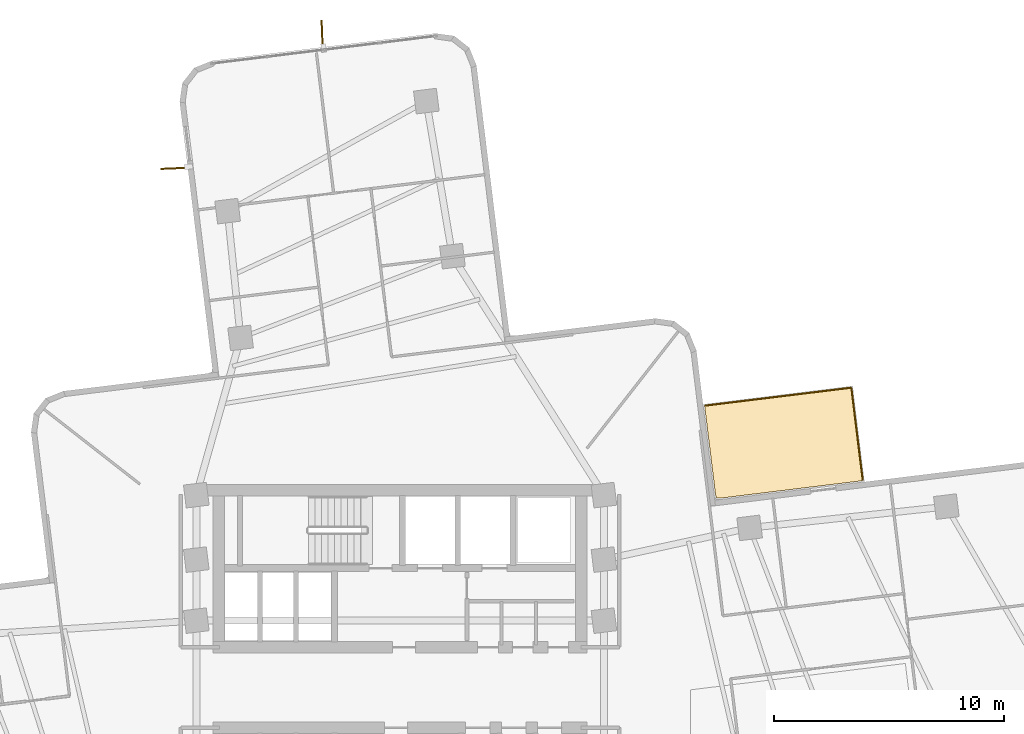
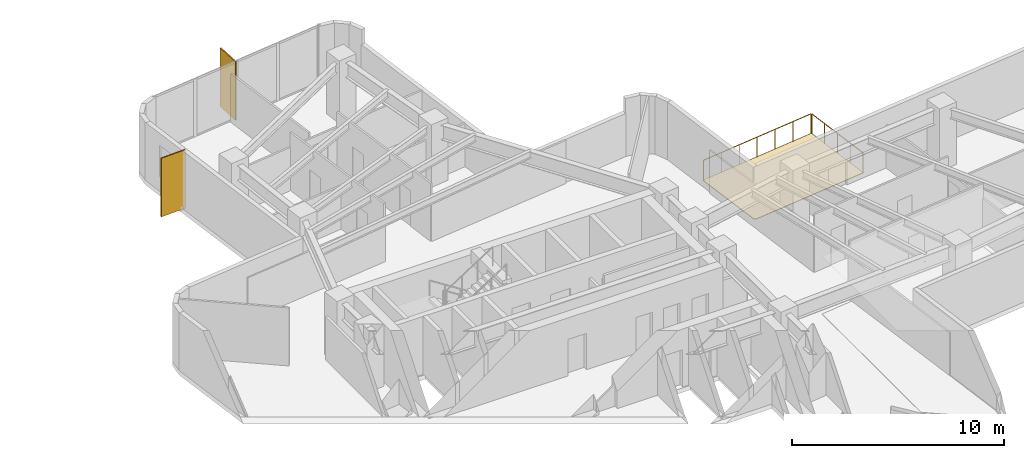
# One storey, part 13 of 13: 2 railings, 2 shading devices, 1 covering.
"""IFC4 building model written with IfcOpenShell, lengths in metres."""

from ifc_helpers import new_model, si_unit, direction, frame, origin, origin_2d, place, context, subcontext, project, spatial, polyline, rectangle, circle, outline, extrude, material, layer, layer_set, type_object, element, save


model = new_model("IFC4")

# Units and contexts
model_context = context("Model", 3, precision=1e-05, world=origin(), true_north=direction((0.0, 1.0)))
body_context = subcontext(model_context, "Body", "Model", "MODEL_VIEW")
ifc_project = project(units=[si_unit("LENGTHUNIT", "METRE"), si_unit("AREAUNIT", "SQUARE_METRE"), si_unit("VOLUMEUNIT", "CUBIC_METRE"), si_unit("PLANEANGLEUNIT", "RADIAN"), si_unit("MASSUNIT", "GRAM", prefix="KILO")], contexts=[model_context])

# Site, building, storey
site_placement = place(None, origin())
site = spatial("IfcSite", under=ifc_project, at=site_placement, CompositionType="ELEMENT")
building_placement = place(site_placement, origin())
building = spatial("IfcBuilding", under=site, at=building_placement, Name="Solmarez Civic Tower", CompositionType="ELEMENT")
storey_placement = place(building_placement, frame((0.0, 0.0, 82.080078125)))
storey = spatial("IfcBuildingStorey", under=building, at=storey_placement, Name="L21", CompositionType="ELEMENT", Elevation=82.080078125)

# Covering
ifc_material_1 = material(Name="Elastomeric Terrace Waterproofing Membrane")
ifc_layer_1 = layer(ifc_material_1, 0.030029296875)
ifc_layer_set_1 = layer_set([ifc_layer_1], Name="Elastomeric Terrace Waterproofing Membrane")
covering_type = type_object("IfcCoveringType", Name="COV-MEMBRANE-ROOF", PredefinedType="ROOFING", material=ifc_layer_set_1)
covering_placement = place(storey_placement, origin())
element("IfcCovering", 1, at=covering_placement, inside=storey, type_object=covering_type, Name="L21 Balcony Waterproofing NE", PredefinedType="ROOFING", context=body_context, shape_type="SweptSolid", body=[
    extrude(outline(polyline([(13.697021484375, 8.35009765625), (13.7451171875, 8.23193359375), (13.8720703125, 8.214111328125), (20.095947265625, 8.97802734375), (19.59912109375, 13.02490234375), (13.218994140625, 12.241943359375), (13.697021484375, 8.35009765625)])), origin(), (0.0, 0.0, 1.0), 0.030029296875),
])

# Shading devices
ifc_material_2 = material(Name="Bronze Anodised Aluminium EN AW-6063 T6", Category="aluminium")
ifc_layer_2 = layer(ifc_material_2, 0.06494140625)
ifc_layer_set_2 = layer_set([ifc_layer_2], Name="Bronze Anodised Aluminium EN AW-6063 T6")
shading_device_type = type_object("IfcShadingDeviceType", Name="FIN-BRONZE-Z12", PredefinedType="USERDEFINED", material=ifc_layer_set_2)
for number, where, z_axis, x_axis, name in (
    (2, (-9.72509765625, 22.5419921875, -0.0400390625), (0.0, 0.0, 1.0), (-0.999149663887, -0.041230439671, 0.0), "L21 Anodised Bronze Solar Fin FIN-L21-03"),
    (3, (-3.385009765625, 28.302978515625, -0.0400390625), (0.0, 0.0, 1.0), (-0.041230439671, 0.999149663887, 0.0), "L21 Anodised Bronze Solar Fin FIN-L21-04"),
):
    element("IfcShadingDevice", number, at=place(storey_placement, frame(where, z_axis=z_axis, x_axis=x_axis)), inside=storey, type_object=shading_device_type, Name=name, ObjectType="FIN", PredefinedType="USERDEFINED", context=body_context, shape_type="SweptSolid", body=[
        extrude(rectangle(XDim=1.35009765625, YDim=0.06494140625, at=origin_2d()), origin(), (0.0, 0.0, 1.0), 3.3798828125),
    ])

# Railings
ifc_material_3 = material(Name="Bronze Anodised Aluminium and Laminated Safety Glass Balustrade", Category="aluminium")
railing_type = type_object("IfcRailingType", Name="GUARD-TERR-1180", PredefinedType="BALUSTRADE", material=ifc_material_3)
railing_1_placement = place(storey_placement, frame((20.092041015625, 9.012939453125, 0.0)))
element("IfcRailing", 4, at=railing_1_placement, inside=storey, type_object=railing_type, Name="L21 Safety Balustrade GRD-BALC-L21-NE-1", PredefinedType="BALUSTRADE", context=body_context, shape_type="SweptSolid", body=[
    extrude(circle(Radius=0.02392578125, at=origin_2d()), frame((0.0, 0.0, 1.15576171875), z_axis=(-0.122039778732, 0.99252520996, 0.0), x_axis=(-0.99252520996, -0.122039778732, 0.0)), (0.0, 0.0, 1.0), 4.007080078125),
    extrude(circle(Radius=0.02099609375, at=origin_2d()), origin(), (0.0, 0.0, 1.0), 1.1318359375),
    extrude(circle(Radius=0.02099609375, at=origin_2d()), frame((-0.122314453125, 0.994140625, 0.0)), (0.0, 0.0, 1.0), 1.1318359375),
    extrude(circle(Radius=0.02099609375, at=origin_2d()), frame((-0.24462890625, 1.988525390625, 0.0)), (0.0, 0.0, 1.0), 1.1318359375),
    extrude(circle(Radius=0.02099609375, at=origin_2d()), frame((-0.36669921875, 2.98291015625, 0.0)), (0.0, 0.0, 1.0), 1.1318359375),
    extrude(circle(Radius=0.02099609375, at=origin_2d()), frame((-0.489013671875, 3.97705078125, 0.0)), (0.0, 0.0, 1.0), 1.1318359375),
])
railing_2_placement = place(storey_placement, frame((19.56396484375, 13.02099609375, 0.0)))
element("IfcRailing", 5, at=railing_2_placement, inside=storey, type_object=railing_type, Name="L21 Safety Balustrade GRD-BALC-L21-NE-2", PredefinedType="BALUSTRADE", context=body_context, shape_type="SweptSolid", body=[
    extrude(circle(Radius=0.02392578125, at=origin_2d()), frame((0.0, 0.0, 1.15576171875), z_axis=(-0.992543781308, -0.121888646671, 0.0), x_axis=(0.121888646671, -0.992543781308, 0.0)), (0.0, 0.0, 1.0), 6.357421875),
    extrude(circle(Radius=0.02099609375, at=origin_2d()), origin(), (0.0, 0.0, 1.0), 1.1318359375),
    extrude(circle(Radius=0.02099609375, at=origin_2d()), frame((-1.0517578125, -0.129150390625, 0.0)), (0.0, 0.0, 1.0), 1.1318359375),
    extrude(circle(Radius=0.02099609375, at=origin_2d()), frame((-2.103271484375, -0.25830078125, 0.0)), (0.0, 0.0, 1.0), 1.1318359375),
    extrude(circle(Radius=0.02099609375, at=origin_2d()), frame((-3.155029296875, -0.387451171875, 0.0)), (0.0, 0.0, 1.0), 1.1318359375),
    extrude(circle(Radius=0.02099609375, at=origin_2d()), frame((-4.206787109375, -0.5166015625, 0.0)), (0.0, 0.0, 1.0), 1.1318359375),
    extrude(circle(Radius=0.02099609375, at=origin_2d()), frame((-5.25830078125, -0.645751953125, 0.0)), (0.0, 0.0, 1.0), 1.1318359375),
    extrude(circle(Radius=0.02099609375, at=origin_2d()), frame((-6.31005859375, -0.77490234375, 0.0)), (0.0, 0.0, 1.0), 1.1318359375),
])

save(model, "model.ifc")
